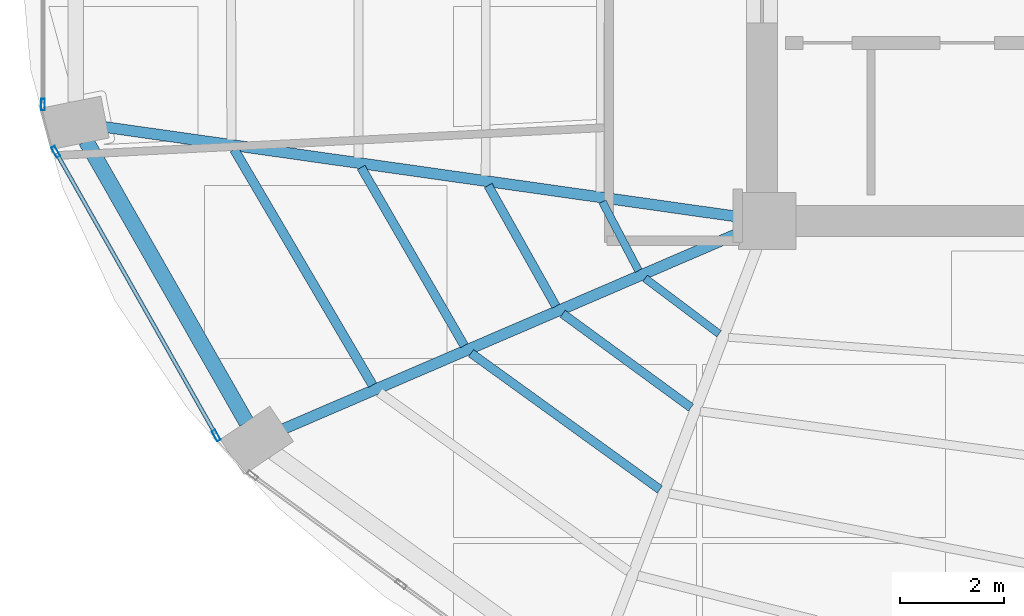
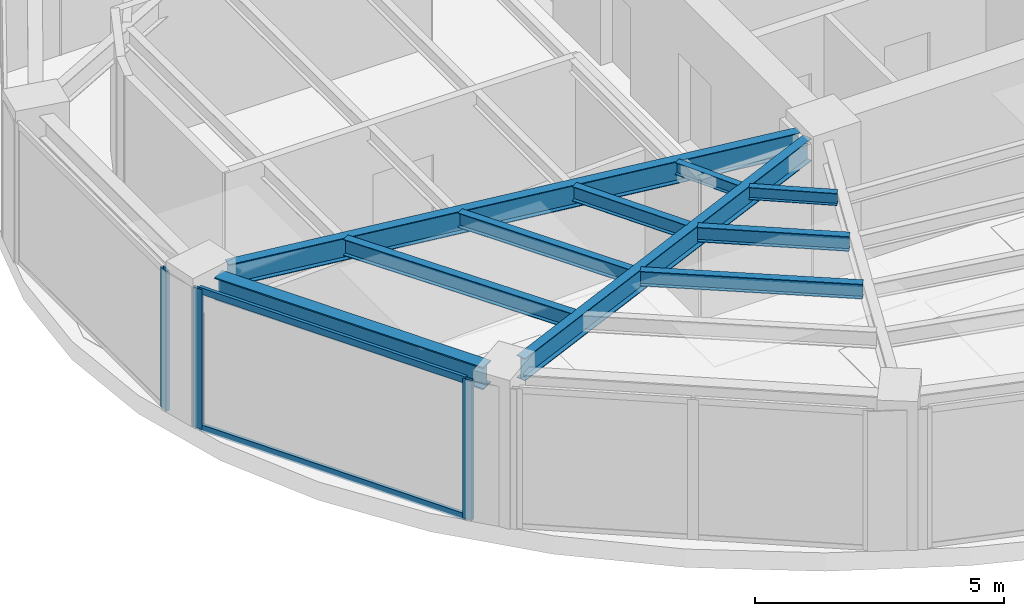
# One storey, part 3 of 20: 10 beams, 5 members, 2 elements without a shape of their own.
"""IFC4 building model written with IfcOpenShell, lengths in metres."""

from ifc_helpers import new_model, si_unit, direction, frame, origin, origin_2d, place, context, subcontext, project, spatial, hollow_rectangle, i_section, extrude, material, layer, layer_set, material_profile, profile_set, type_object, element, aggregate, save


model = new_model("IFC4")

# Units and contexts
model_context = context("Model", 3, precision=1e-05, world=origin(), true_north=direction((0.0, 1.0)))
body_context = subcontext(model_context, "Body", "Model", "MODEL_VIEW")
ifc_project = project(units=[si_unit("LENGTHUNIT", "METRE"), si_unit("AREAUNIT", "SQUARE_METRE"), si_unit("VOLUMEUNIT", "CUBIC_METRE"), si_unit("PLANEANGLEUNIT", "RADIAN"), si_unit("MASSUNIT", "GRAM", prefix="KILO")], contexts=[model_context])

# Site, building, storey
site_placement = place(None, origin())
site = spatial("IfcSite", under=ifc_project, at=site_placement, CompositionType="ELEMENT")
building_placement = place(site_placement, origin())
building = spatial("IfcBuilding", under=site, at=building_placement, Name="Lazwardi Medical Tower", CompositionType="ELEMENT")
storey_placement = place(building_placement, frame((0.0, 0.0, 138.2880859375)))
storey = spatial("IfcBuildingStorey", under=building, at=storey_placement, Name="L35", CompositionType="ELEMENT", Elevation=138.2880859375)

# Beams
ifc_material_1 = material(Name="Steel S355", Category="steel")
ifc_material_profile_1 = material_profile(ifc_material_1, i_section(OverallWidth=0.300048828125, OverallDepth=0.550048828125, WebThickness=0.014892578125, FlangeThickness=0.029052734375, at=origin_2d()), Name="HEB 550")
ifc_profile_set_1 = profile_set([ifc_material_profile_1], Name="Steel S355")
beam_type_1 = type_object("IfcBeamType", Name="BM-RB-Z3", PredefinedType="BEAM", material=ifc_profile_set_1)
beam_1_placement = place(storey_placement, frame((13.272216796875, 21.94091796875, 3.15283203125), z_axis=(0.495460926326, -0.868630226554, 0.0), x_axis=(0.868630226554, 0.495460926326, 0.0)))
element("IfcBeam", 1, at=beam_1_placement, inside=storey, type_object=beam_type_1, Name="Ring beam RB-04 B13 L35", PredefinedType="BEAM", context=body_context, shape_type="SweptSolid", body=[
    extrude(i_section(OverallWidth=0.300048828125, OverallDepth=0.550048828125, WebThickness=0.014892578125, FlangeThickness=0.029052734375, at=origin_2d()), origin(), (0.0, 0.0, 1.0), 6.24462890625),
])
ifc_material_profile_2 = material_profile(ifc_material_1, i_section(OverallWidth=0.2099609375, OverallDepth=0.550048828125, WebThickness=0.010986328125, FlangeThickness=0.01708984375, at=origin_2d()), Name="IPE 550")
ifc_profile_set_2 = profile_set([ifc_material_profile_2], Name="Steel S355")
beam_type_2 = type_object("IfcBeamType", Name="BM-RG-W2", PredefinedType="BEAM", material=ifc_profile_set_2)
beam_2_placement = place(storey_placement, frame((13.628662109375, 22.209716796875, 3.15283203125), z_axis=(0.99010958763, -0.140296131389, 0.0), x_axis=(0.140296131389, 0.99010958763, 0.0)))
element("IfcBeam", 2, at=beam_2_placement, inside=storey, type_object=beam_type_2, Name="Radial girder RG-03 R13 L35", PredefinedType="BEAM", context=body_context, shape_type="SweptSolid", body=[
    extrude(i_section(OverallWidth=0.2099609375, OverallDepth=0.550048828125, WebThickness=0.010986328125, FlangeThickness=0.01708984375, at=origin_2d()), origin(), (0.0, 0.0, 1.0), 12.364013671875),
])
beam_3_placement = place(storey_placement, frame((17.078857421875, 16.390380859375, 3.15283203125), z_axis=(0.918608156288, 0.395169653695, 0.0), x_axis=(-0.395169653695, 0.918608156288, 0.0)))
element("IfcBeam", 3, at=beam_3_placement, inside=storey, type_object=beam_type_2, Name="Radial girder RG-03 R14 L35", PredefinedType="BEAM", context=body_context, shape_type="SweptSolid", body=[
    extrude(i_section(OverallWidth=0.2099609375, OverallDepth=0.550048828125, WebThickness=0.010986328125, FlangeThickness=0.01708984375, at=origin_2d()), origin(), (0.0, 0.0, 1.0), 9.61181640625),
])
ifc_material_profile_3 = material_profile(ifc_material_1, i_section(OverallWidth=0.179931640625, OverallDepth=0.39990234375, WebThickness=0.008544921875, FlangeThickness=0.013427734375, at=origin_2d()), Name="IPE 400")
ifc_profile_set_3 = profile_set([ifc_material_profile_3], Name="Steel S355")
beam_type_3 = type_object("IfcBeamType", Name="BM-SJ-01", PredefinedType="JOIST", material=ifc_profile_set_3)
beam_4_placement = place(storey_placement, frame((16.127685546875, 21.776611328125, 3.22802734375), z_axis=(0.506420212881, -0.862286824662, 0.0), x_axis=(0.862286824662, 0.506420212881, 0.0)))
element("IfcBeam", 4, at=beam_4_placement, inside=storey, type_object=beam_type_3, Name="Secondary joist SJ-01 R1 B13 L35", PredefinedType="JOIST", context=body_context, shape_type="SweptSolid", body=[
    extrude(i_section(OverallWidth=0.179931640625, OverallDepth=0.39990234375, WebThickness=0.008544921875, FlangeThickness=0.013427734375, at=origin_2d()), origin(), (0.0, 0.0, 1.0), 5.265380859375),
])
ifc_material_profile_4 = material_profile(ifc_material_1, i_section(OverallWidth=0.169921875, OverallDepth=0.360107421875, WebThickness=0.008056640625, FlangeThickness=0.0126953125, at=origin_2d()), Name="IPE 360")
ifc_profile_set_4 = profile_set([ifc_material_profile_4], Name="Steel S355")
beam_type_4 = type_object("IfcBeamType", Name="BM-SJ-02", PredefinedType="JOIST", material=ifc_profile_set_4)
beam_5_placement = place(storey_placement, frame((18.5751953125, 21.42919921875, 3.247802734375), z_axis=(0.500640648605, -0.865655209055, 0.0), x_axis=(0.865655209055, 0.500640648605, 0.0)))
element("IfcBeam", 5, at=beam_5_placement, inside=storey, type_object=beam_type_4, Name="Secondary joist SJ-02 R2 B13 L35", PredefinedType="JOIST", context=body_context, shape_type="SweptSolid", body=[
    extrude(i_section(OverallWidth=0.169921875, OverallDepth=0.360107421875, WebThickness=0.008056640625, FlangeThickness=0.0126953125, at=origin_2d()), origin(), (0.0, 0.0, 1.0), 3.965576171875),
])
beam_6_placement = place(storey_placement, frame((20.69189453125, 17.851318359375, 3.247802734375), z_axis=(0.810738039179, -0.585409114917, 0.0), x_axis=(0.585409114917, 0.810738039179, 0.0)))
element("IfcBeam", 6, at=beam_6_placement, inside=storey, type_object=beam_type_4, Name="Secondary joist SJ-02 R2 B14 L35", PredefinedType="JOIST", context=body_context, shape_type="SweptSolid", body=[
    extrude(i_section(OverallWidth=0.169921875, OverallDepth=0.360107421875, WebThickness=0.008056640625, FlangeThickness=0.0126953125, at=origin_2d()), origin(), (0.0, 0.0, 1.0), 4.48779296875),
])
beam_7_placement = place(storey_placement, frame((21.022705078125, 21.081787109375, 3.247802734375), z_axis=(0.489408945026, -0.872054404569, 0.0), x_axis=(0.872054404569, 0.489408945026, 0.0)))
element("IfcBeam", 7, at=beam_7_placement, inside=storey, type_object=beam_type_4, Name="Secondary joist SJ-02 R3 B13 L35", PredefinedType="JOIST", context=body_context, shape_type="SweptSolid", body=[
    extrude(i_section(OverallWidth=0.169921875, OverallDepth=0.360107421875, WebThickness=0.008056640625, FlangeThickness=0.0126953125, at=origin_2d()), origin(), (0.0, 0.0, 1.0), 2.666259765625),
])
beam_8_placement = place(storey_placement, frame((22.45751953125, 18.6103515625, 3.247802734375), z_axis=(0.807285959008, -0.590160470033, 0.0), x_axis=(0.590160470033, 0.807285959008, 0.0)))
element("IfcBeam", 8, at=beam_8_placement, inside=storey, type_object=beam_type_4, Name="Secondary joist SJ-02 R3 B14 L35", PredefinedType="JOIST", context=body_context, shape_type="SweptSolid", body=[
    extrude(i_section(OverallWidth=0.169921875, OverallDepth=0.360107421875, WebThickness=0.008056640625, FlangeThickness=0.0126953125, at=origin_2d()), origin(), (0.0, 0.0, 1.0), 3.06298828125),
])
ifc_material_profile_5 = material_profile(ifc_material_1, i_section(OverallWidth=0.14990234375, OverallDepth=0.300048828125, WebThickness=0.007080078125, FlangeThickness=0.0107421875, at=origin_2d()), Name="IPE 300")
ifc_profile_set_5 = profile_set([ifc_material_profile_5], Name="Steel S355")
beam_type_5 = type_object("IfcBeamType", Name="BM-SJ-03", PredefinedType="JOIST", material=ifc_profile_set_5)
beam_9_placement = place(storey_placement, frame((23.2236328125, 20.768310546875, 3.27783203125), z_axis=(0.464469748171, -0.885588986513, 0.0), x_axis=(0.885588986513, 0.464469748171, 0.0)))
element("IfcBeam", 9, at=beam_9_placement, inside=storey, type_object=beam_type_5, Name="Secondary joist SJ-03 R4 B13 L35", PredefinedType="JOIST", context=body_context, shape_type="SweptSolid", body=[
    extrude(i_section(OverallWidth=0.14990234375, OverallDepth=0.300048828125, WebThickness=0.007080078125, FlangeThickness=0.0107421875, at=origin_2d()), origin(), (0.0, 0.0, 1.0), 1.498046875),
])
beam_10_placement = place(storey_placement, frame((24.0458984375, 19.29296875, 3.27783203125), z_axis=(0.799884834751, -0.600153522972, 0.0), x_axis=(0.600153522972, 0.799884834751, 0.0)))
element("IfcBeam", 10, at=beam_10_placement, inside=storey, type_object=beam_type_5, Name="Secondary joist SJ-03 R4 B14 L35", PredefinedType="JOIST", context=body_context, shape_type="SweptSolid", body=[
    extrude(i_section(OverallWidth=0.14990234375, OverallDepth=0.300048828125, WebThickness=0.007080078125, FlangeThickness=0.0107421875, at=origin_2d()), origin(), (0.0, 0.0, 1.0), 1.781005859375),
])

# Curtain wall, member
ifc_material_2 = material(Name="Anodised bronze aluminium and solar control glazing", Category="aluminium")
ifc_layer = layer(ifc_material_2, 0.195068359375)
ifc_layer_set = layer_set([ifc_layer], Name="Anodised bronze aluminium and solar control glazing")
curtain_wall_type = type_object("IfcCurtainWallType", Name="CW-SYS-03", PredefinedType="NOTDEFINED", material=ifc_layer_set)
curtain_wall_1_placement = place(storey_placement, origin())
curtain_wall_1 = element("IfcCurtainWall", 11, at=curtain_wall_1_placement, inside=storey, type_object=curtain_wall_type, Name="L35 Unitised bronze curtain wall CW-03", PredefinedType="NOTDEFINED")
ifc_material_3 = material(Name="Anodised bronze aluminium", Category="aluminium")
ifc_material_profile_6 = material_profile(ifc_material_3, hollow_rectangle(XDim=0.074951171875, YDim=0.219970703125, WallThickness=0.00390625, at=origin_2d()), Name="ALU-MULLION 220x75x4")
ifc_profile_set_6 = profile_set([ifc_material_profile_6], Name="Anodised bronze aluminium")
member_type_1 = type_object("IfcMemberType", Name="CW-MUL-01", PredefinedType="MULLION", material=ifc_profile_set_6)
member_1_placement = place(storey_placement, frame((12.4423828125, 22.64208984375, 0.0), z_axis=(0.0, 0.0, 1.0), x_axis=(1.0, 0.0, 0.0)))
member_1 = element("IfcMember", 12, at=member_1_placement, type_object=member_type_1, Name="CW-03 mullion 2", PredefinedType="MULLION", context=body_context, shape_type="SweptSolid", body=[
    extrude(hollow_rectangle(XDim=0.074951171875, YDim=0.219970703125, WallThickness=0.00390625, at=origin_2d()), origin(), (0.0, 0.0, 1.0), 3.427978515625),
])
aggregate(curtain_wall_1, [member_1])

# Curtain wall, members
curtain_wall_2_placement = place(storey_placement, origin())
curtain_wall_2 = element("IfcCurtainWall", 13, at=curtain_wall_2_placement, inside=storey, type_object=curtain_wall_type, Name="L35 Unitised bronze curtain wall CW-03", PredefinedType="NOTDEFINED")
member_2_placement = place(storey_placement, frame((12.68896484375, 21.732666015625, 0.0), z_axis=(0.0, 0.0, 1.0), x_axis=(0.870418989303, 0.492311672683, 0.0)))
member_2 = element("IfcMember", 14, at=member_2_placement, type_object=member_type_1, Name="CW-03 mullion 1", PredefinedType="MULLION", context=body_context, shape_type="SweptSolid", body=[
    extrude(hollow_rectangle(XDim=0.074951171875, YDim=0.219970703125, WallThickness=0.00390625, at=origin_2d()), origin(), (0.0, 0.0, 1.0), 3.427978515625),
])
member_3_placement = place(storey_placement, frame((15.782470703125, 16.26318359375, 0.0), z_axis=(0.0, 0.0, 1.0), x_axis=(0.870418989303, 0.492311672683, 0.0)))
member_3 = element("IfcMember", 15, at=member_3_placement, type_object=member_type_1, Name="CW-03 mullion 2", PredefinedType="MULLION", context=body_context, shape_type="SweptSolid", body=[
    extrude(hollow_rectangle(XDim=0.074951171875, YDim=0.219970703125, WallThickness=0.00390625, at=origin_2d()), origin(), (0.0, 0.0, 1.0), 3.427978515625),
])
ifc_material_profile_7 = material_profile(ifc_material_3, hollow_rectangle(XDim=0.074951171875, YDim=0.159912109375, WallThickness=0.00390625, at=origin_2d()), Name="ALU-TRANSOM 160x75x4")
ifc_profile_set_7 = profile_set([ifc_material_profile_7], Name="Anodised bronze aluminium")
member_type_2 = type_object("IfcMemberType", Name="CW-TRN-01", PredefinedType="USERDEFINED", material=ifc_profile_set_7)
member_4_placement = place(storey_placement, frame((12.707275390625, 21.7001953125, 0.037353515625), z_axis=(0.492306010269, -0.870422191958, 0.0), x_axis=(0.870422191958, 0.492306010269, 0.0)))
member_4 = element("IfcMember", 16, at=member_4_placement, type_object=member_type_2, Name="CW-03 transom 1.1", ObjectType="TRANSOM", PredefinedType="USERDEFINED", context=body_context, shape_type="SweptSolid", body=[
    extrude(hollow_rectangle(XDim=0.074951171875, YDim=0.159912109375, WallThickness=0.00390625, at=origin_2d()), origin(), (0.0, 0.0, 1.0), 6.208740234375),
])
member_5_placement = place(storey_placement, frame((12.707275390625, 21.7001953125, 3.390380859375), z_axis=(0.492306010269, -0.870422191958, 0.0), x_axis=(0.870422191958, 0.492306010269, 0.0)))
member_5 = element("IfcMember", 17, at=member_5_placement, type_object=member_type_2, Name="CW-03 transom 1.2", ObjectType="TRANSOM", PredefinedType="USERDEFINED", context=body_context, shape_type="SweptSolid", body=[
    extrude(hollow_rectangle(XDim=0.074951171875, YDim=0.159912109375, WallThickness=0.00390625, at=origin_2d()), origin(), (0.0, 0.0, 1.0), 6.208740234375),
])
aggregate(curtain_wall_2, [member_2, member_3, member_4, member_5])

save(model, "model.ifc")
